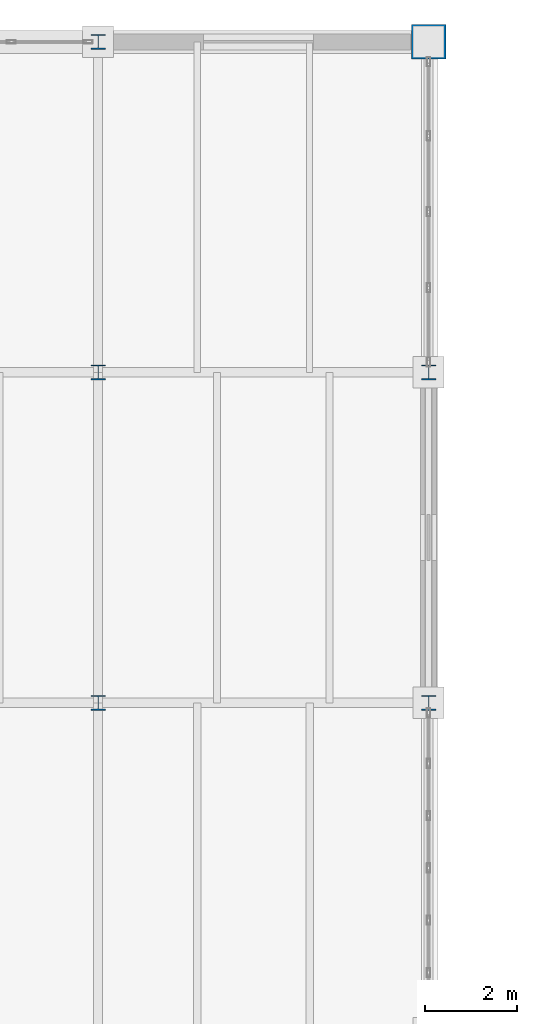
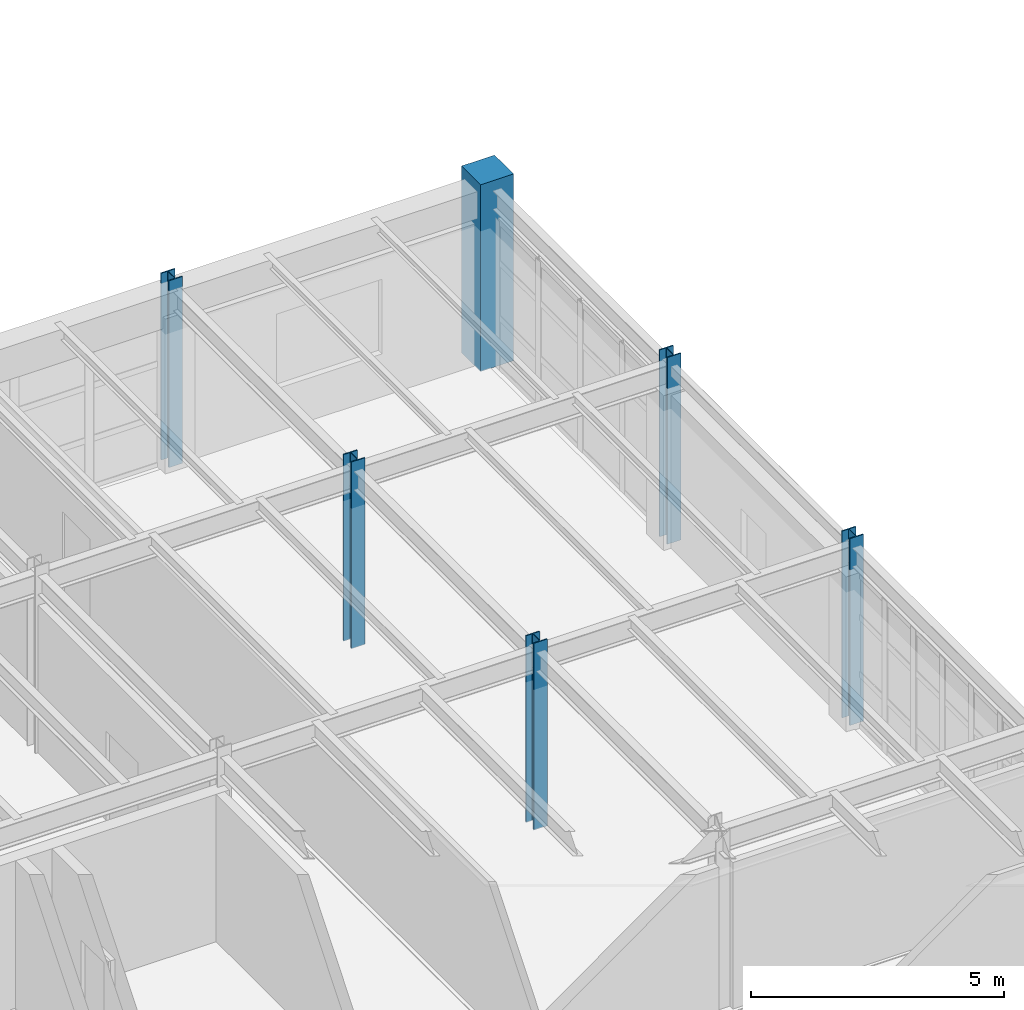
# One storey, part 10 of 137: 6 columns.
"""IFC4 building model written with IfcOpenShell, lengths in metres."""

from ifc_helpers import new_model, si_unit, direction, frame, origin, origin_2d, place, context, subcontext, project, spatial, rectangle, i_section, extrude, material, material_profile, profile_set, type_object, element, save


model = new_model("IFC4")

# Units and contexts
model_context = context("Model", 3, precision=1e-05, world=origin(), true_north=direction((0.0, 1.0)))
body_context = subcontext(model_context, "Body", "Model", "MODEL_VIEW")
ifc_project = project(units=[si_unit("LENGTHUNIT", "METRE"), si_unit("AREAUNIT", "SQUARE_METRE"), si_unit("VOLUMEUNIT", "CUBIC_METRE"), si_unit("PLANEANGLEUNIT", "RADIAN"), si_unit("MASSUNIT", "GRAM", prefix="KILO")], contexts=[model_context])

# Site, building, storey
site_placement = place(None, origin())
site = spatial("IfcSite", under=ifc_project, at=site_placement, CompositionType="ELEMENT")
building_placement = place(site_placement, origin())
building = spatial("IfcBuilding", under=site, at=building_placement, Name="Kemerveld Promenade Tramway Depot", CompositionType="ELEMENT")
storey_placement = place(building_placement, frame((0.0, 0.0, 5.39990234375)))
storey = spatial("IfcBuildingStorey", under=building, at=storey_placement, Name="L01", CompositionType="ELEMENT", Elevation=5.39990234375)

# Columns
ifc_material_1 = material(Name="Concrete C40/50", Category="concrete")
ifc_material_profile_1 = material_profile(ifc_material_1, rectangle(XDim=0.75, YDim=0.75, at=origin_2d()), Name="RC-COL-750x750")
ifc_profile_set_1 = profile_set([ifc_material_profile_1], Name="Concrete C40/50")
column_type_1 = type_object("IfcColumnType", Name="COL-RC2", PredefinedType="COLUMN", material=ifc_profile_set_1)
column_placement = place(storey_placement, frame((57.60009765625, 79.199951171875, 0.0), z_axis=(0.0, 0.0, 1.0), x_axis=(1.0, 0.0, 0.0)))
element("IfcColumn", 1, at=column_placement, inside=storey, type_object=column_type_1, Name="COL-L01-09-M", PredefinedType="COLUMN", context=body_context, shape_type="SweptSolid", body=[
    extrude(rectangle(XDim=0.75, YDim=0.75, at=origin_2d()), origin(), (0.0, 0.0, 1.0), 4.5),
])
ifc_material_2 = material(Name="Steel S355", Category="steel")
ifc_material_profile_2 = material_profile(ifc_material_2, i_section(OverallWidth=0.311279296875, OverallDepth=0.3271484375, WebThickness=0.015869140625, FlangeThickness=0.02490234375, FilletRadius=0.01513671875, at=origin_2d()), Name="305x305x158 UC")
ifc_profile_set_2 = profile_set([ifc_material_profile_2], Name="Steel S355")
column_type_2 = type_object("IfcColumnType", Name="COL-S05", PredefinedType="COLUMN", material=ifc_profile_set_2)
for number, where, z_axis, x_axis, name in (
    (2, (50.39990234375, 64.800048828125, 0.0), (0.0, 0.0, 1.0), (1.0, 0.0, 0.0), "COL-L01-08-K"),
    (3, (50.39990234375, 72.0, 0.0), (0.0, 0.0, 1.0), (1.0, 0.0, 0.0), "COL-L01-08-L"),
    (4, (50.39990234375, 79.199951171875, 0.0), (0.0, 0.0, 1.0), (1.0, 0.0, 0.0), "COL-L01-08-M"),
    (5, (57.60009765625, 64.800048828125, 0.0), (0.0, 0.0, 1.0), (1.0, 0.0, 0.0), "COL-L01-09-K"),
    (6, (57.60009765625, 72.0, 0.0), (0.0, 0.0, 1.0), (1.0, 0.0, 0.0), "COL-L01-09-L"),
):
    element("IfcColumn", number, at=place(storey_placement, frame(where, z_axis=z_axis, x_axis=x_axis)), inside=storey, type_object=column_type_2, Name=name, PredefinedType="COLUMN", context=body_context, shape_type="SweptSolid", body=[
        extrude(i_section(OverallWidth=0.311279296875, OverallDepth=0.3271484375, WebThickness=0.015869140625, FlangeThickness=0.02490234375, FilletRadius=0.01513671875, at=origin_2d()), origin(), (0.0, 0.0, 1.0), 4.5),
    ])

save(model, "model.ifc")
